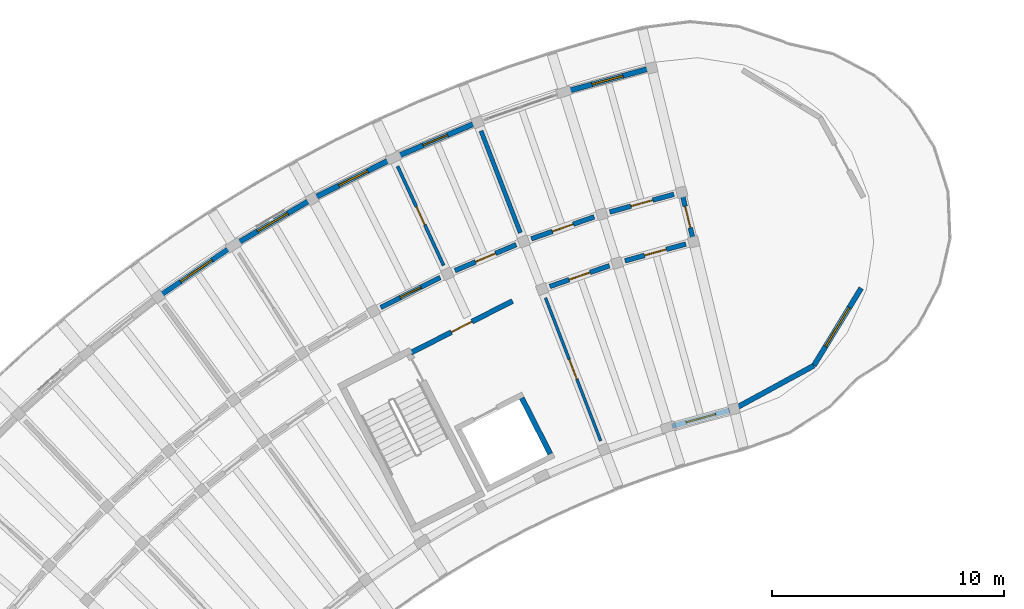
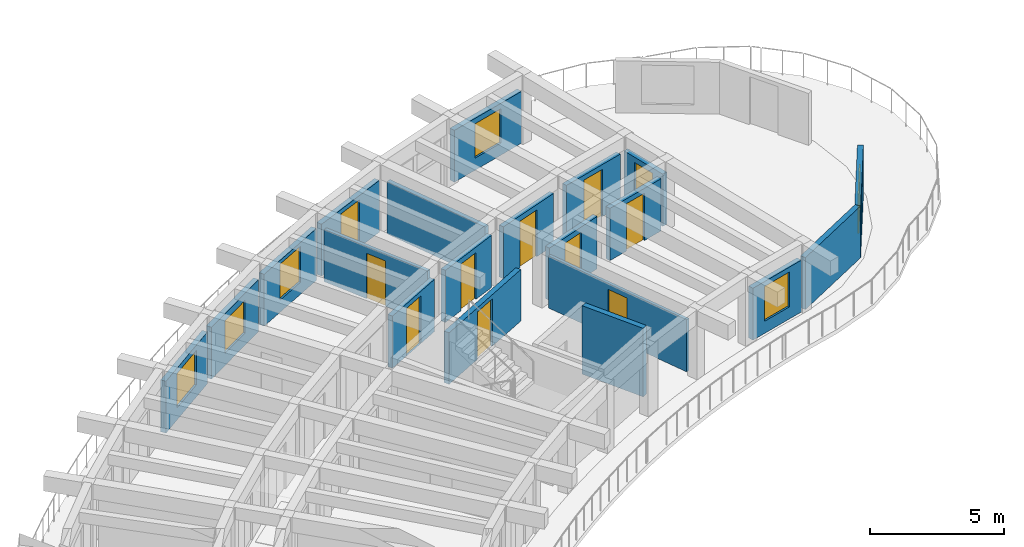
# One storey, part 21 of 36: 20 walls, 11 doors, 6 windows, 17 openings.
"""IFC4 building model written with IfcOpenShell, lengths in metres."""

import ifcopenshell
import ifcopenshell.guid

model = None  # the IFC model being written
_history = None  # IfcOwnerHistory: only IFC2X3 demands one
_inside = {}  # id of a spatial element -> (the spatial element, [elements in it])
_under = {}  # id of a project, library or spatial element -> (it, [spatial elements below it])
_declared = {}  # id of a project -> (the project, [libraries it declares])
_typed = {}  # id of a type object -> (the type object, [elements of that type])
_made_of = {}  # id of a material, layer set ... -> (it, [elements and type objects made of it])


def new_model(schema):
    """Start an empty IFC model of exactly this schema.

    Asked for "IFC4X3", IfcOpenShell would pick the latest addendum, in which some entities
    have other attributes; the version numbers below select the first issue.
    IFC2X3 requires an IfcOwnerHistory on every rooted entity: one is made here for all.
    """
    global model, _history
    if schema == "IFC4X3":
        model = ifcopenshell.file(schema_version=(4, 3, 0, 0))
    else:
        model = ifcopenshell.file(schema=schema)
    _inside.clear()
    _under.clear()
    _declared.clear()
    _typed.clear()
    _made_of.clear()
    _history = None
    if model.schema == "IFC2X3":
        org = make("IfcOrganization", Name="unknown")
        user = make(
            "IfcPersonAndOrganization",
            ThePerson=make("IfcPerson", FamilyName="unknown"),
            TheOrganization=org,
        )
        app = make(
            "IfcApplication",
            ApplicationDeveloper=org,
            Version="unknown",
            ApplicationFullName="unknown",
            ApplicationIdentifier="unknown",
        )
        _history = make(
            "IfcOwnerHistory",
            OwningUser=user,
            OwningApplication=app,
            ChangeAction="ADDED",
            CreationDate=0,
        )
    return model


def make(cls, **values):
    """One entity of the class cls with the attributes given. An attribute that is None is left unset."""
    return model.create_entity(
        cls, **{name: value for name, value in values.items() if value is not None}
    )


def rooted(cls, **values):
    """An entity with a GlobalId (a new one), such as an element, a storey or a relation."""
    return make(cls, GlobalId=ifcopenshell.guid.new(), OwnerHistory=_history, **values)


def si_unit(unit_type, name, prefix=None):
    """IfcSIUnit, for example si_unit("LENGTHUNIT", "METRE", prefix="MILLI")."""
    return make("IfcSIUnit", UnitType=unit_type, Prefix=prefix, Name=name)


def assignment(units):
    """IfcUnitAssignment: the units of a project."""
    return None if units is None else make("IfcUnitAssignment", Units=units)


def point(xyz):
    """IfcCartesianPoint."""
    return None if xyz is None else make("IfcCartesianPoint", Coordinates=xyz)


def direction(xyz):
    """IfcDirection."""
    return None if xyz is None else make("IfcDirection", DirectionRatios=xyz)


def frame(location, z_axis=None, x_axis=None):
    """IfcAxis2Placement3D, a coordinate frame: its origin and axes. An axis left out is left unset."""
    return make(
        "IfcAxis2Placement3D",
        Location=point(location),
        Axis=direction(z_axis),
        RefDirection=direction(x_axis),
    )


def frame_2d(location, x_axis=None):
    """IfcAxis2Placement2D, a coordinate frame in the plane: its origin and x axis."""
    return make(
        "IfcAxis2Placement2D", Location=point(location), RefDirection=direction(x_axis)
    )


def origin():
    """The frame at (0, 0, 0) with its axes left unset."""
    return frame((0.0, 0.0, 0.0))


def place(relative_to, where):
    """IfcLocalPlacement: puts the frame where relative to a parent placement (None: the world)."""
    return make(
        "IfcLocalPlacement", PlacementRelTo=relative_to, RelativePlacement=where
    )


def context(
    kind, dimensions, precision=None, world=None, true_north=None, identifier=None
):
    """IfcGeometricRepresentationContext, for example the 3D "Model" context."""
    return make(
        "IfcGeometricRepresentationContext",
        ContextIdentifier=identifier,
        ContextType=kind,
        CoordinateSpaceDimension=dimensions,
        Precision=precision,
        WorldCoordinateSystem=world,
        TrueNorth=true_north,
    )


def subcontext(parent, identifier, kind, view, scale=None):
    """IfcGeometricRepresentationSubContext, for example "Body" below "Model"."""
    return make(
        "IfcGeometricRepresentationSubContext",
        ContextIdentifier=identifier,
        ContextType=kind,
        ParentContext=parent,
        TargetScale=scale,
        TargetView=view,
    )


def project(units=None, contexts=None):
    """IfcProject with its units and contexts."""
    return rooted(
        "IfcProject",
        Name="project",
        RepresentationContexts=contexts,
        UnitsInContext=assignment(units),
    )


def spatial(cls, under=None, at=None, **own):
    """A site, building, storey or space (cls), placed at a placement, below another one or the project."""
    s = rooted(cls, ObjectPlacement=at, **own)
    if under is not None:
        _under.setdefault(under.id(), (under, []))[1].append(s)
    return s


def profile(cls, at=None, kind="AREA", **sizes):
    """A parametric profile (cls). Its sizes go by their IFC names, for example OverallWidth=200.0."""
    return make(cls, ProfileType=kind, Position=at, **sizes)


def rectangle(**sizes):
    """IfcRectangleProfileDef."""
    return profile("IfcRectangleProfileDef", **sizes)


def extrude(swept, where, along, depth):
    """IfcExtrudedAreaSolid: the profile swept, set in the frame where, extruded along a direction by depth."""
    return make(
        "IfcExtrudedAreaSolid",
        SweptArea=swept,
        Position=where,
        ExtrudedDirection=direction(along),
        Depth=depth,
    )


def shape(context_of_items, identifier, shape_type, items):
    """IfcShapeRepresentation: the items that make up one representation, for example the "Body"."""
    return make(
        "IfcShapeRepresentation",
        ContextOfItems=context_of_items,
        RepresentationIdentifier=identifier,
        RepresentationType=shape_type,
        Items=items,
    )


def material(Name=None, Category=None):
    """IfcMaterial."""
    return make("IfcMaterial", Name=Name, Category=Category)


def layer(
    of_material, thickness, ventilated=None, Name=None, Category=None, Priority=None
):
    """IfcMaterialLayer: one layer of a wall or slab, of a material (None: an air gap)."""
    return make(
        "IfcMaterialLayer",
        Material=of_material,
        LayerThickness=thickness,
        IsVentilated=ventilated,
        Name=Name,
        Category=Category,
        Priority=Priority,
    )


def layer_set(layers, Name=None):
    """IfcMaterialLayerSet."""
    return make("IfcMaterialLayerSet", MaterialLayers=layers, LayerSetName=Name)


def made_of(thing, what):
    """Note that an element or type object is made of a material, layer set ...; save() writes the relation."""
    if what is not None:
        _made_of.setdefault(what.id(), (what, []))[1].append(thing)
    return thing


def type_object(cls, material=None, **own):
    """A type object (cls), such as IfcWallType, which elements share."""
    return made_of(rooted(cls, **own), material)


def element(
    cls,
    number,
    at=None,
    inside=None,
    cuts=None,
    type_object=None,
    material=None,
    context=None,
    identifier="Body",
    shape_type=None,
    held_by="IfcProductDefinitionShape",
    body=None,
    shapes=None,
    **own,
):
    """One element of the class cls, such as IfcWall. Its Tag is "e" and its number.

    at: its placement. inside: the storey or other place that contains it. cuts: it is an
    opening in that element (IfcRelVoidsElement). A single representation is given by context,
    identifier, shape_type and body (its items); several are given by shapes. held_by: the class
    of the entity that holds the representations. save() writes the other relations.
    """
    e = rooted(cls, Tag="e%d" % number, ObjectPlacement=at, **own)
    if body is not None:
        shapes = [shape(context, identifier, shape_type, body)]
    if shapes is not None:
        e.Representation = make(held_by, Representations=shapes)
    if inside is not None:
        _inside.setdefault(inside.id(), (inside, []))[1].append(e)
    if cuts is not None:
        rooted(
            "IfcRelVoidsElement", RelatingBuildingElement=cuts, RelatedOpeningElement=e
        )
    if type_object is not None:
        _typed.setdefault(type_object.id(), (type_object, []))[1].append(e)
    return made_of(e, material)


def fill(opening, filler):
    """IfcRelFillsElement: the door or window that sits in an opening."""
    return rooted(
        "IfcRelFillsElement",
        RelatingOpeningElement=opening,
        RelatedBuildingElement=filler,
    )


def aggregate(whole, parts):
    """IfcRelAggregates: a whole, such as a stair, and the parts it consists of."""
    return rooted("IfcRelAggregates", RelatingObject=whole, RelatedObjects=parts)


def save(model, path):
    """Write the relations noted so far, then the file.

    IfcRelAggregates (storeys below a building ...), IfcRelContainedInSpatialStructure (elements
    in a storey), IfcRelDefinesByType, IfcRelAssociatesMaterial and IfcRelDeclares: one each for
    every whole, place, type object, material and project.
    """
    for whole, parts in _under.values():
        aggregate(whole, parts)
    for where, things in _inside.values():
        rooted(
            "IfcRelContainedInSpatialStructure",
            RelatedElements=things,
            RelatingStructure=where,
        )
    for kind, things in _typed.values():
        rooted("IfcRelDefinesByType", RelatedObjects=things, RelatingType=kind)
    for what, things in _made_of.values():
        rooted("IfcRelAssociatesMaterial", RelatedObjects=things, RelatingMaterial=what)
    for by, libraries in _declared.values():
        rooted("IfcRelDeclares", RelatingContext=by, RelatedDefinitions=libraries)
    model.write(path)


model = new_model("IFC4")

# Units and contexts
model_context = context("Model", 3, precision=1e-05, world=origin(), true_north=direction((0.0, 1.0)))
body_context = subcontext(model_context, "Body", "Model", "MODEL_VIEW")
ifc_project = project(units=[si_unit("LENGTHUNIT", "METRE"), si_unit("AREAUNIT", "SQUARE_METRE"), si_unit("VOLUMEUNIT", "CUBIC_METRE"), si_unit("PLANEANGLEUNIT", "RADIAN"), si_unit("MASSUNIT", "GRAM", prefix="KILO")], contexts=[model_context])

# Site, building, storey
site_placement = place(None, origin())
site = spatial("IfcSite", under=ifc_project, at=site_placement, CompositionType="ELEMENT")
building_placement = place(site_placement, origin())
building = spatial("IfcBuilding", under=site, at=building_placement, Name="Tanwirah Colonnade Gardens", CompositionType="ELEMENT")
storey_placement = place(building_placement, frame((0.0, 0.0, 39.080078125)))
storey = spatial("IfcBuildingStorey", under=building, at=storey_placement, Name="L11", CompositionType="ELEMENT", Elevation=39.080078125)

# Wall, opening, window
ifc_material_1 = material(Name="Limestone architectural precast concrete C40/50", Category="masonry")
ifc_layer_1 = layer(ifc_material_1, 0.22509765625)
ifc_layer_set_1 = layer_set([ifc_layer_1], Name="Limestone architectural precast concrete C40/50")
wall_type_1 = type_object("IfcWallType", Name="EW-PC225", PredefinedType="SOLIDWALL", material=ifc_layer_set_1)
wall_1_placement = place(storey_placement, frame((50.854248046875, 118.039306640625, 0.0), z_axis=(0.0, 0.0, 1.0), x_axis=(-0.963879958287, -0.266337053398, 0.0)))
wall_1 = element("IfcWall", 1, at=wall_1_placement, inside=storey, type_object=wall_type_1, Name="Block A L11 OUT Precast Facade Wall 2", PredefinedType="SOLIDWALL", context=body_context, shape_type="SweptSolid", body=[
    extrude(rectangle(XDim=3.56591796875, YDim=0.22509765625, at=frame_2d((1.782958984375, 0.0))), origin(), (0.0, 0.0, 1.0), 2.35498046875),
])
opening_1_placement = place(wall_1_placement, frame((1.093017578125, 0.0, 0.550048828125)))
opening_1 = element("IfcOpeningElement", 2, at=opening_1_placement, cuts=wall_1, Name="Opening WIN-T18", PredefinedType="OPENING", context=body_context, shape_type="SweptSolid", body=[
    extrude(rectangle(XDim=1.3798828125, YDim=1.56005859375, at=frame_2d((0.68994140625, 0.780029296875))), frame((0.0, 0.12255859375, 0.0), z_axis=(0.0, -1.0, 0.0), x_axis=(1.0, 0.0, 0.0)), (0.0, 0.0, 1.0), 0.2451171875),
])
ifc_material_2 = material(Name="Thermally broken bronze aluminium and solar low-E double glazing", Category="aluminium")
window_type_1 = type_object("IfcWindowType", Name="WIN-T18", PartitioningType="DOUBLE_PANEL_VERTICAL", PredefinedType="WINDOW", material=ifc_material_2)
window_1_placement = place(opening_1_placement, origin())
window_1 = element("IfcWindow", 3, at=window_1_placement, inside=storey, type_object=window_type_1, Name="Facade window A-L11-OUT-02", OverallHeight=1.56005859375, OverallWidth=1.3798828125, PartitioningType="SINGLE_PANEL", PredefinedType="WINDOW", context=body_context, shape_type="SweptSolid", body=[
    extrude(rectangle(XDim=1.3798828125, YDim=1.56005859375, at=frame_2d((0.68994140625, 0.780029296875))), frame((0.0, 0.030029296875, 0.0), z_axis=(0.0, -1.0, 0.0), x_axis=(1.0, 0.0, 0.0)), (0.0, 0.0, 1.0), 0.06005859375),
])
fill(opening_1, window_1)

wall_2_placement = place(storey_placement, frame((54.3935546875, 103.35986328125, 0.0), z_axis=(0.0, 0.0, 1.0), x_axis=(-0.963881704158, -0.266330734968, 0.0)))
wall_2 = element("IfcWall", 4, at=wall_2_placement, inside=storey, type_object=wall_type_1, Name="Block A L11 IN Precast Facade Wall 2", PredefinedType="SOLIDWALL", context=body_context, shape_type="SweptSolid", body=[
    extrude(rectangle(XDim=2.5703125, YDim=0.22509765625, at=frame_2d((1.28515625, 0.0))), origin(), (0.0, 0.0, 1.0), 2.35498046875),
])
opening_2_placement = place(wall_2_placement, frame((0.625, 0.0, 0.550048828125)))
opening_2 = element("IfcOpeningElement", 5, at=opening_2_placement, cuts=wall_2, Name="Opening WIN-U05", PredefinedType="OPENING", context=body_context, shape_type="SweptSolid", body=[
    extrude(rectangle(XDim=1.320068359375, YDim=1.5849609375, at=frame_2d((0.66015625, 0.79248046875))), frame((0.0, 0.12255859375, 0.0), z_axis=(0.0, -1.0, 0.0), x_axis=(1.0, 0.0, 0.0)), (0.0, 0.0, 1.0), 0.2451171875),
])
window_type_2 = type_object("IfcWindowType", Name="WIN-U05", PartitioningType="DOUBLE_PANEL_VERTICAL", PredefinedType="WINDOW", material=ifc_material_2)
window_2_placement = place(opening_2_placement, origin())
window_2 = element("IfcWindow", 6, at=window_2_placement, inside=storey, type_object=window_type_2, Name="Facade window A-L11-IN-02", OverallHeight=1.5849609375, OverallWidth=1.320068359375, PartitioningType="SINGLE_PANEL", PredefinedType="WINDOW", context=body_context, shape_type="SweptSolid", body=[
    extrude(rectangle(XDim=1.320068359375, YDim=1.5849609375, at=frame_2d((0.66015625, 0.79248046875))), frame((0.0, 0.030029296875, 0.0), z_axis=(0.0, -1.0, 0.0), x_axis=(1.0, 0.0, 0.0)), (0.0, 0.0, 1.0), 0.06005859375),
])
fill(opening_2, window_2)

# Wall, opening, door
wall_3_placement = place(storey_placement, frame((43.371826171875, 115.677001953125, 0.0), z_axis=(0.0, 0.0, 1.0), x_axis=(-0.920495973723, -0.390752047161, 0.0)))
wall_3 = element("IfcWall", 7, at=wall_3_placement, inside=storey, type_object=wall_type_1, Name="Block A L11 OUT Precast Facade Wall 4", PredefinedType="SOLIDWALL", context=body_context, shape_type="SweptSolid", body=[
    extrude(rectangle(XDim=3.565673828125, YDim=0.22509765625, at=frame_2d((1.78271484375, 0.0))), origin(), (0.0, 0.0, 1.0), 2.35498046875),
])
opening_3_placement = place(wall_3_placement, frame((1.212890625, 0.0, 0.0)))
opening_3 = element("IfcOpeningElement", 8, at=opening_3_placement, cuts=wall_3, Name="Opening L11-ED052", PredefinedType="OPENING", context=body_context, shape_type="SweptSolid", body=[
    extrude(rectangle(XDim=1.139892578125, YDim=2.159912109375, at=frame_2d((0.56982421875, 1.080078125))), frame((0.0, 0.12255859375, 0.0), z_axis=(0.0, -1.0, 0.0), x_axis=(1.0, 0.0, 0.0)), (0.0, 0.0, 1.0), 0.2451171875),
])
ifc_material_3 = material(Name="Bronze aluminium glazed balcony door", Category="aluminium")
door_type_1 = type_object("IfcDoorType", Name="ED-BAL114", OperationType="NOTDEFINED", PredefinedType="DOOR", material=ifc_material_3)
door_1_placement = place(opening_3_placement, origin())
door_1 = element("IfcDoor", 9, at=door_1_placement, inside=storey, type_object=door_type_1, Name="Balcony glazed door L11-ED052", OperationType="SINGLE_SWING_RIGHT", OverallHeight=2.159912109375, OverallWidth=1.139892578125, PredefinedType="DOOR", context=body_context, shape_type="SweptSolid", body=[
    extrude(rectangle(XDim=1.139892578125, YDim=2.159912109375, at=frame_2d((0.56982421875, 1.080078125))), frame((0.0, 0.02490234375, 0.0), z_axis=(0.0, -1.0, 0.0), x_axis=(1.0, 0.0, 0.0)), (0.0, 0.0, 1.0), 0.050048828125),
])
fill(opening_3, door_1)

# Wall, opening, window
wall_4_placement = place(storey_placement, frame((39.79052734375, 114.14501953125, 0.0), z_axis=(0.0, 0.0, 1.0), x_axis=(-0.892764108044, -0.450524413753, 0.0)))
wall_4 = element("IfcWall", 10, at=wall_4_placement, inside=storey, type_object=wall_type_1, Name="Block A L11 OUT Precast Facade Wall 5", PredefinedType="SOLIDWALL", context=body_context, shape_type="SweptSolid", body=[
    extrude(rectangle(XDim=3.565673828125, YDim=0.22509765625, at=frame_2d((1.78271484375, 0.0))), origin(), (0.0, 0.0, 1.0), 2.35498046875),
])
opening_4_placement = place(wall_4_placement, frame((1.082763671875, 0.0, 0.550048828125)))
opening_4 = element("IfcOpeningElement", 11, at=opening_4_placement, cuts=wall_4, Name="Opening WIN-U07", PredefinedType="OPENING", context=body_context, shape_type="SweptSolid", body=[
    extrude(rectangle(XDim=1.39990234375, YDim=1.635009765625, at=frame_2d((0.699951171875, 0.8173828125))), frame((0.0, 0.12255859375, 0.0), z_axis=(0.0, -1.0, 0.0), x_axis=(1.0, 0.0, 0.0)), (0.0, 0.0, 1.0), 0.2451171875),
])
window_type_3 = type_object("IfcWindowType", Name="WIN-U07", PartitioningType="DOUBLE_PANEL_VERTICAL", PredefinedType="WINDOW", material=ifc_material_2)
window_3_placement = place(opening_4_placement, origin())
window_3 = element("IfcWindow", 12, at=window_3_placement, inside=storey, type_object=window_type_3, Name="Facade window A-L11-OUT-05", OverallHeight=1.635009765625, OverallWidth=1.39990234375, PartitioningType="SINGLE_PANEL", PredefinedType="WINDOW", context=body_context, shape_type="SweptSolid", body=[
    extrude(rectangle(XDim=1.39990234375, YDim=1.635009765625, at=frame_2d((0.699951171875, 0.8173828125))), frame((0.0, 0.030029296875, 0.0), z_axis=(0.0, -1.0, 0.0), x_axis=(1.0, 0.0, 0.0)), (0.0, 0.0, 1.0), 0.06005859375),
])
fill(opening_4, window_3)

wall_5_placement = place(storey_placement, frame((36.26513671875, 112.3515625, 0.0), z_axis=(0.0, 0.0, 1.0), x_axis=(-0.861132283606, -0.508380949811, 0.0)))
wall_5 = element("IfcWall", 13, at=wall_5_placement, inside=storey, type_object=wall_type_1, Name="Block A L11 OUT Precast Facade Wall 6", PredefinedType="SOLIDWALL", context=body_context, shape_type="SweptSolid", body=[
    extrude(rectangle(XDim=3.565673828125, YDim=0.22509765625, at=frame_2d((1.78271484375, 0.0))), origin(), (0.0, 0.0, 1.0), 2.35498046875),
])
opening_5_placement = place(wall_5_placement, frame((1.022705078125, 0.0, 0.550048828125)))
opening_5 = element("IfcOpeningElement", 14, at=opening_5_placement, cuts=wall_5, Name="Opening WIN-U10", PredefinedType="OPENING", context=body_context, shape_type="SweptSolid", body=[
    extrude(rectangle(XDim=1.52001953125, YDim=1.485107421875, at=frame_2d((0.760009765625, 0.74267578125))), frame((0.0, 0.12255859375, 0.0), z_axis=(0.0, -1.0, 0.0), x_axis=(1.0, 0.0, 0.0)), (0.0, 0.0, 1.0), 0.2451171875),
])
window_type_4 = type_object("IfcWindowType", Name="WIN-U10", PartitioningType="DOUBLE_PANEL_VERTICAL", PredefinedType="WINDOW", material=ifc_material_2)
window_4_placement = place(opening_5_placement, origin())
window_4 = element("IfcWindow", 15, at=window_4_placement, inside=storey, type_object=window_type_4, Name="Facade window A-L11-OUT-06", OverallHeight=1.485107421875, OverallWidth=1.52001953125, PartitioningType="SINGLE_PANEL", PredefinedType="WINDOW", context=body_context, shape_type="SweptSolid", body=[
    extrude(rectangle(XDim=1.52001953125, YDim=1.485107421875, at=frame_2d((0.760009765625, 0.74267578125))), frame((0.0, 0.030029296875, 0.0), z_axis=(0.0, -1.0, 0.0), x_axis=(1.0, 0.0, 0.0)), (0.0, 0.0, 1.0), 0.06005859375),
])
fill(opening_5, window_4)

wall_6_placement = place(storey_placement, frame((32.916259765625, 110.36181640625, 0.0), z_axis=(0.0, 0.0, 1.0), x_axis=(-0.825772203118, -0.564003784169, 0.0)))
wall_6 = element("IfcWall", 16, at=wall_6_placement, inside=storey, type_object=wall_type_1, Name="Block A L11 OUT Precast Facade Wall 7", PredefinedType="SOLIDWALL", context=body_context, shape_type="SweptSolid", body=[
    extrude(rectangle(XDim=3.565673828125, YDim=0.22509765625, at=frame_2d((1.78271484375, 0.0))), origin(), (0.0, 0.0, 1.0), 2.35498046875),
])
opening_6_placement = place(wall_6_placement, frame((0.962890625, 0.0, 0.550048828125)))
opening_6 = element("IfcOpeningElement", 17, at=opening_6_placement, cuts=wall_6, Name="Opening WIN-U13", PredefinedType="OPENING", context=body_context, shape_type="SweptSolid", body=[
    extrude(rectangle(XDim=1.639892578125, YDim=1.56005859375, at=frame_2d((0.81982421875, 0.780029296875))), frame((0.0, 0.12255859375, 0.0), z_axis=(0.0, -1.0, 0.0), x_axis=(1.0, 0.0, 0.0)), (0.0, 0.0, 1.0), 0.2451171875),
])
window_type_5 = type_object("IfcWindowType", Name="WIN-U13", PartitioningType="DOUBLE_PANEL_VERTICAL", PredefinedType="WINDOW", material=ifc_material_2)
window_5_placement = place(opening_6_placement, origin())
window_5 = element("IfcWindow", 18, at=window_5_placement, inside=storey, type_object=window_type_5, Name="Facade window A-L11-OUT-07", OverallHeight=1.56005859375, OverallWidth=1.639892578125, PartitioningType="SINGLE_PANEL", PredefinedType="WINDOW", context=body_context, shape_type="SweptSolid", body=[
    extrude(rectangle(XDim=1.639892578125, YDim=1.56005859375, at=frame_2d((0.81982421875, 0.780029296875))), frame((0.0, 0.030029296875, 0.0), z_axis=(0.0, -1.0, 0.0), x_axis=(1.0, 0.0, 0.0)), (0.0, 0.0, 1.0), 0.06005859375),
])
fill(opening_6, window_5)

wall_7_placement = place(storey_placement, frame((60.052978515625, 108.6142578125, 0.0), z_axis=(0.0, 0.0, 1.0), x_axis=(-0.521652131435, -0.85315828178, 0.0)))
wall_7 = element("IfcWall", 19, at=wall_7_placement, inside=storey, type_object=wall_type_1, Name="Block A L11 START Rounded End Wall 4", PredefinedType="SOLIDWALL", context=body_context, shape_type="SweptSolid", body=[
    extrude(rectangle(XDim=3.908447265625, YDim=0.22509765625, at=frame_2d((1.9541015625, 0.0))), origin(), (0.0, 0.0, 1.0), 2.35498046875),
])
opening_7_placement = place(wall_7_placement, frame((0.97900390625, 0.0, 0.39990234375)))
opening_7 = element("IfcOpeningElement", 20, at=opening_7_placement, cuts=wall_7, Name="Opening WIN-END2", PredefinedType="OPENING", context=body_context, shape_type="SweptSolid", body=[
    extrude(rectangle(XDim=1.949951171875, YDim=1.780029296875, at=frame_2d((0.97509765625, 0.89013671875))), frame((0.0, 0.12255859375, 0.0), z_axis=(0.0, -1.0, 0.0), x_axis=(1.0, 0.0, 0.0)), (0.0, 0.0, 1.0), 0.2451171875),
])
window_type_6 = type_object("IfcWindowType", Name="WIN-END2", PartitioningType="TRIPLE_PANEL_VERTICAL", PredefinedType="WINDOW", material=ifc_material_2)
window_6_placement = place(opening_7_placement, origin())
window_6 = element("IfcWindow", 21, at=window_6_placement, inside=storey, type_object=window_type_6, Name="Rounded corner window A-L11-START-4", OverallHeight=1.780029296875, OverallWidth=1.949951171875, PartitioningType="SINGLE_PANEL", PredefinedType="WINDOW", context=body_context, shape_type="SweptSolid", body=[
    extrude(rectangle(XDim=1.949951171875, YDim=1.780029296875, at=frame_2d((0.97509765625, 0.89013671875))), frame((0.0, 0.030029296875, 0.0), z_axis=(0.0, -1.0, 0.0), x_axis=(1.0, 0.0, 0.0)), (0.0, 0.0, 1.0), 0.06005859375),
])
fill(opening_7, window_6)

# Wall
wall_8_placement = place(storey_placement, frame((58.01416015625, 105.27978515625, 0.0), z_axis=(0.0, 0.0, 1.0), x_axis=(-0.87837025386, -0.477980854359, 0.0)))
element("IfcWall", 22, at=wall_8_placement, inside=storey, type_object=wall_type_1, Name="Block A L11 START Rounded End Wall 5", PredefinedType="SOLIDWALL", context=body_context, shape_type="SweptSolid", body=[
    extrude(rectangle(XDim=3.907958984375, YDim=0.22509765625, at=frame_2d((1.9541015625, 0.0))), origin(), (0.0, 0.0, 1.0), 2.35498046875),
])

# Wall, opening, door
ifc_material_4 = material(Name="Precast concrete C40/50", Category="concrete")
ifc_layer_2 = layer(ifc_material_4, 0.205078125)
ifc_layer_set_2 = layer_set([ifc_layer_2], Name="Precast concrete C40/50")
wall_type_2 = type_object("IfcWallType", Name="IW-CORR205", PredefinedType="PARTITIONING", material=ifc_layer_set_2)
wall_9_placement = place(storey_placement, frame((51.993896484375, 112.651123046875, 0.0), z_axis=(0.0, 0.0, 1.0), x_axis=(-0.963890789093, -0.266297853356, 0.0)))
wall_9 = element("IfcWall", 23, at=wall_9_placement, inside=storey, type_object=wall_type_2, Name="Block A L11 OUT Corridor Wall 2", PredefinedType="PARTITIONING", context=body_context, shape_type="SweptSolid", body=[
    extrude(rectangle(XDim=2.863037109375, YDim=0.205078125, at=frame_2d((1.431640625, 0.0))), origin(), (0.0, 0.0, 1.0), 2.369873046875),
])
opening_8_placement = place(wall_9_placement, frame((0.946533203125, 0.0, 0.0)))
opening_8 = element("IfcOpeningElement", 24, at=opening_8_placement, cuts=wall_9, Name="Opening L11-AD675", PredefinedType="OPENING", context=body_context, shape_type="SweptSolid", body=[
    extrude(rectangle(XDim=0.969970703125, YDim=2.14990234375, at=frame_2d((0.48486328125, 1.074951171875))), frame((0.0, 0.112548828125, 0.0), z_axis=(0.0, -1.0, 0.0), x_axis=(1.0, 0.0, 0.0)), (0.0, 0.0, 1.0), 0.22509765625),
])
ifc_material_5 = material(Name="Solid oak fire-resisting apartment entrance door")
door_type_2 = type_object("IfcDoorType", Name="ID-FLT097", OperationType="NOTDEFINED", PredefinedType="DOOR", material=ifc_material_5)
door_2_placement = place(opening_8_placement, origin())
door_2 = element("IfcDoor", 25, at=door_2_placement, inside=storey, type_object=door_type_2, Name="Apartment corridor door L11-AD675", OperationType="SINGLE_SWING_RIGHT", OverallHeight=2.14990234375, OverallWidth=0.969970703125, PredefinedType="DOOR", context=body_context, shape_type="SweptSolid", body=[
    extrude(rectangle(XDim=0.969970703125, YDim=2.14990234375, at=frame_2d((0.48486328125, 1.074951171875))), frame((0.0, 0.02490234375, 0.0), z_axis=(0.0, -1.0, 0.0), x_axis=(1.0, 0.0, 0.0)), (0.0, 0.0, 1.0), 0.050048828125),
])
fill(opening_8, door_2)

wall_10_placement = place(storey_placement, frame((52.509521484375, 110.512451171875, 0.0), z_axis=(0.0, 0.0, 1.0), x_axis=(-0.96388375821, -0.266323301006, 0.0)))
wall_10 = element("IfcWall", 26, at=wall_10_placement, inside=storey, type_object=wall_type_2, Name="Block A L11 IN Corridor Wall 2", PredefinedType="PARTITIONING", context=body_context, shape_type="SweptSolid", body=[
    extrude(rectangle(XDim=2.718017578125, YDim=0.205078125, at=frame_2d((1.35888671875, 0.0))), origin(), (0.0, 0.0, 1.0), 2.369873046875),
])
opening_9_placement = place(wall_10_placement, frame((0.8740234375, 0.0, 0.0)))
opening_9 = element("IfcOpeningElement", 27, at=opening_9_placement, cuts=wall_10, Name="Opening L11-AD676", PredefinedType="OPENING", context=body_context, shape_type="SweptSolid", body=[
    extrude(rectangle(XDim=0.969970703125, YDim=2.14990234375, at=frame_2d((0.48486328125, 1.074951171875))), frame((0.0, 0.112548828125, 0.0), z_axis=(0.0, -1.0, 0.0), x_axis=(1.0, 0.0, 0.0)), (0.0, 0.0, 1.0), 0.22509765625),
])
door_3_placement = place(opening_9_placement, origin())
door_3 = element("IfcDoor", 28, at=door_3_placement, inside=storey, type_object=door_type_2, Name="Apartment corridor door L11-AD676", OperationType="SINGLE_SWING_LEFT", OverallHeight=2.14990234375, OverallWidth=0.969970703125, PredefinedType="DOOR", context=body_context, shape_type="SweptSolid", body=[
    extrude(rectangle(XDim=0.969970703125, YDim=2.14990234375, at=frame_2d((0.48486328125, 1.074951171875))), frame((0.0, 0.02490234375, 0.0), z_axis=(0.0, -1.0, 0.0), x_axis=(1.0, 0.0, 0.0)), (0.0, 0.0, 1.0), 0.050048828125),
])
fill(opening_9, door_3)

wall_11_placement = place(storey_placement, frame((48.56640625, 111.68017578125, 0.0), z_axis=(0.0, 0.0, 1.0), x_axis=(-0.944253820929, -0.329218349522, 0.0)))
wall_11 = element("IfcWall", 29, at=wall_11_placement, inside=storey, type_object=wall_type_2, Name="Block A L11 OUT Corridor Wall 3", PredefinedType="PARTITIONING", context=body_context, shape_type="SweptSolid", body=[
    extrude(rectangle(XDim=2.86328125, YDim=0.205078125, at=frame_2d((1.431640625, 0.0))), origin(), (0.0, 0.0, 1.0), 2.369873046875),
])
opening_10_placement = place(wall_11_placement, frame((0.95654296875, 0.0, 0.0)))
opening_10 = element("IfcOpeningElement", 30, at=opening_10_placement, cuts=wall_11, Name="Opening L11-AD677", PredefinedType="OPENING", context=body_context, shape_type="SweptSolid", body=[
    extrude(rectangle(XDim=0.949951171875, YDim=2.1298828125, at=frame_2d((0.47509765625, 1.06494140625))), frame((0.0, 0.112548828125, 0.0), z_axis=(0.0, -1.0, 0.0), x_axis=(1.0, 0.0, 0.0)), (0.0, 0.0, 1.0), 0.22509765625),
])
door_type_3 = type_object("IfcDoorType", Name="ID-FLT095", OperationType="NOTDEFINED", PredefinedType="DOOR", material=ifc_material_5)
door_4_placement = place(opening_10_placement, origin())
door_4 = element("IfcDoor", 31, at=door_4_placement, inside=storey, type_object=door_type_3, Name="Apartment corridor door L11-AD677", OperationType="SINGLE_SWING_LEFT", OverallHeight=2.1298828125, OverallWidth=0.949951171875, PredefinedType="DOOR", context=body_context, shape_type="SweptSolid", body=[
    extrude(rectangle(XDim=0.949951171875, YDim=2.1298828125, at=frame_2d((0.47509765625, 1.06494140625))), frame((0.0, 0.02490234375, 0.0), z_axis=(0.0, -1.0, 0.0), x_axis=(1.0, 0.0, 0.0)), (0.0, 0.0, 1.0), 0.050048828125),
])
fill(opening_10, door_4)

wall_12_placement = place(storey_placement, frame((49.221923828125, 109.580078125, 0.0), z_axis=(0.0, 0.0, 1.0), x_axis=(-0.944265123647, -0.329185929627, 0.0)))
wall_12 = element("IfcWall", 32, at=wall_12_placement, inside=storey, type_object=wall_type_2, Name="Block A L11 IN Corridor Wall 3", PredefinedType="PARTITIONING", context=body_context, shape_type="SweptSolid", body=[
    extrude(rectangle(XDim=2.71826171875, YDim=0.205078125, at=frame_2d((1.359130859375, 0.0))), origin(), (0.0, 0.0, 1.0), 2.369873046875),
])
opening_11_placement = place(wall_12_placement, frame((0.884033203125, 0.0, 0.0)))
opening_11 = element("IfcOpeningElement", 33, at=opening_11_placement, cuts=wall_12, Name="Opening L11-AD678", PredefinedType="OPENING", context=body_context, shape_type="SweptSolid", body=[
    extrude(rectangle(XDim=0.949951171875, YDim=2.1298828125, at=frame_2d((0.47509765625, 1.06494140625))), frame((0.0, 0.112548828125, 0.0), z_axis=(0.0, -1.0, 0.0), x_axis=(1.0, 0.0, 0.0)), (0.0, 0.0, 1.0), 0.22509765625),
])
door_5_placement = place(opening_11_placement, origin())
door_5 = element("IfcDoor", 34, at=door_5_placement, inside=storey, type_object=door_type_3, Name="Apartment corridor door L11-AD678", OperationType="SINGLE_SWING_RIGHT", OverallHeight=2.1298828125, OverallWidth=0.949951171875, PredefinedType="DOOR", context=body_context, shape_type="SweptSolid", body=[
    extrude(rectangle(XDim=0.949951171875, YDim=2.1298828125, at=frame_2d((0.47509765625, 1.06494140625))), frame((0.0, 0.02490234375, 0.0), z_axis=(0.0, -1.0, 0.0), x_axis=(1.0, 0.0, 0.0)), (0.0, 0.0, 1.0), 0.050048828125),
])
fill(opening_11, door_5)

wall_13_placement = place(storey_placement, frame((45.210205078125, 110.485595703125, 0.0), z_axis=(0.0, 0.0, 1.0), x_axis=(-0.920511160294, -0.390716270168, 0.0)))
wall_13 = element("IfcWall", 35, at=wall_13_placement, inside=storey, type_object=wall_type_2, Name="Block A L11 OUT Corridor Wall 4", PredefinedType="PARTITIONING", context=body_context, shape_type="SweptSolid", body=[
    extrude(rectangle(XDim=2.863037109375, YDim=0.205078125, at=frame_2d((1.431640625, 0.0))), origin(), (0.0, 0.0, 1.0), 2.369873046875),
])
opening_12_placement = place(wall_13_placement, frame((0.966552734375, 0.0, 0.0)))
opening_12 = element("IfcOpeningElement", 36, at=opening_12_placement, cuts=wall_13, Name="Opening L11-AD680", PredefinedType="OPENING", context=body_context, shape_type="SweptSolid", body=[
    extrude(rectangle(XDim=0.929931640625, YDim=2.1201171875, at=frame_2d((0.46484375, 1.06005859375))), frame((0.0, 0.112548828125, 0.0), z_axis=(0.0, -1.0, 0.0), x_axis=(1.0, 0.0, 0.0)), (0.0, 0.0, 1.0), 0.22509765625),
])
door_type_4 = type_object("IfcDoorType", Name="ID-FLT093", OperationType="NOTDEFINED", PredefinedType="DOOR", material=ifc_material_5)
door_6_placement = place(opening_12_placement, origin())
door_6 = element("IfcDoor", 37, at=door_6_placement, inside=storey, type_object=door_type_4, Name="Apartment corridor door L11-AD680", OperationType="SINGLE_SWING_RIGHT", OverallHeight=2.1201171875, OverallWidth=0.929931640625, PredefinedType="DOOR", context=body_context, shape_type="SweptSolid", body=[
    extrude(rectangle(XDim=0.929931640625, YDim=2.1201171875, at=frame_2d((0.46484375, 1.06005859375))), frame((0.0, 0.02490234375, 0.0), z_axis=(0.0, -1.0, 0.0), x_axis=(1.0, 0.0, 0.0)), (0.0, 0.0, 1.0), 0.050048828125),
])
fill(opening_12, door_6)

wall_14_placement = place(storey_placement, frame((41.93994140625, 109.072509765625, 0.0), z_axis=(0.0, 0.0, 1.0), x_axis=(-0.89273239336, -0.450587254419, 0.0)))
wall_14 = element("IfcWall", 38, at=wall_14_placement, inside=storey, type_object=wall_type_2, Name="Block A L11 OUT Corridor Wall 5", PredefinedType="PARTITIONING", context=body_context, shape_type="SweptSolid", body=[
    extrude(rectangle(XDim=2.863037109375, YDim=0.205078125, at=frame_2d((1.431640625, 0.0))), origin(), (0.0, 0.0, 1.0), 2.369873046875),
])
opening_13_placement = place(wall_14_placement, frame((0.9365234375, 0.0, 0.0)))
opening_13 = element("IfcOpeningElement", 39, at=opening_13_placement, cuts=wall_14, Name="Opening L11-AD682", PredefinedType="OPENING", context=body_context, shape_type="SweptSolid", body=[
    extrude(rectangle(XDim=0.989990234375, YDim=2.159912109375, at=frame_2d((0.4951171875, 1.080078125))), frame((0.0, 0.112548828125, 0.0), z_axis=(0.0, -1.0, 0.0), x_axis=(1.0, 0.0, 0.0)), (0.0, 0.0, 1.0), 0.22509765625),
])
door_type_5 = type_object("IfcDoorType", Name="ID-FLT099", OperationType="NOTDEFINED", PredefinedType="DOOR", material=ifc_material_5)
door_7_placement = place(opening_13_placement, origin())
door_7 = element("IfcDoor", 40, at=door_7_placement, inside=storey, type_object=door_type_5, Name="Apartment corridor door L11-AD682", OperationType="SINGLE_SWING_LEFT", OverallHeight=2.159912109375, OverallWidth=0.989990234375, PredefinedType="DOOR", context=body_context, shape_type="SweptSolid", body=[
    extrude(rectangle(XDim=0.989990234375, YDim=2.159912109375, at=frame_2d((0.4951171875, 1.080078125))), frame((0.0, 0.02490234375, 0.0), z_axis=(0.0, -1.0, 0.0), x_axis=(1.0, 0.0, 0.0)), (0.0, 0.0, 1.0), 0.050048828125),
])
fill(opening_13, door_7)

wall_15_placement = place(storey_placement, frame((52.835205078125, 110.654296875, 0.0), z_axis=(0.0, 0.0, 1.0), x_axis=(-0.23437535251, 0.972146179407, 0.0)))
wall_15 = element("IfcWall", 41, at=wall_15_placement, inside=storey, type_object=wall_type_2, Name="Block A L11 CS Corner Suite Corridor Wall", PredefinedType="PARTITIONING", context=body_context, shape_type="SweptSolid", body=[
    extrude(rectangle(XDim=2.10009765625, YDim=0.205078125, at=frame_2d((1.050048828125, 0.0))), origin(), (0.0, 0.0, 1.0), 2.369873046875),
])
opening_14_placement = place(wall_15_placement, frame((0.570068359375, 0.0, 0.0)))
opening_14 = element("IfcOpeningElement", 42, at=opening_14_placement, cuts=wall_15, Name="Opening L11-CD704", PredefinedType="OPENING", context=body_context, shape_type="SweptSolid", body=[
    extrude(rectangle(XDim=0.949951171875, YDim=2.1298828125, at=frame_2d((0.47509765625, 1.06494140625))), frame((0.0, 0.112548828125, 0.0), z_axis=(0.0, -1.0, 0.0), x_axis=(1.0, 0.0, 0.0)), (0.0, 0.0, 1.0), 0.22509765625),
])
door_8_placement = place(opening_14_placement, origin())
door_8 = element("IfcDoor", 43, at=door_8_placement, inside=storey, type_object=door_type_3, Name="Corner suite entrance door L11-CD704", OperationType="SINGLE_SWING_LEFT", OverallHeight=2.1298828125, OverallWidth=0.949951171875, PredefinedType="DOOR", context=body_context, shape_type="SweptSolid", body=[
    extrude(rectangle(XDim=0.949951171875, YDim=2.1298828125, at=frame_2d((0.47509765625, 1.06494140625))), frame((0.0, 0.02490234375, 0.0), z_axis=(0.0, -1.0, 0.0), x_axis=(1.0, 0.0, 0.0)), (0.0, 0.0, 1.0), 0.050048828125),
])
fill(opening_14, door_8)

# Wall
ifc_layer_3 = layer(ifc_material_4, 0.18505859375)
ifc_layer_set_3 = layer_set([ifc_layer_3], Name="Precast concrete C40/50")
wall_type_3 = type_object("IfcWallType", Name="IW-DEM185", PredefinedType="PARTITIONING", material=ifc_layer_set_3)
wall_16_placement = place(storey_placement, frame((45.388427734375, 110.99560546875, 0.0), z_axis=(0.0, 0.0, 1.0), x_axis=(-0.360186633854, 0.932880264982, 0.0)))
element("IfcWall", 44, at=wall_16_placement, inside=storey, type_object=wall_type_3, Name="Block A L11 Radial Partition 3", PredefinedType="PARTITIONING", context=body_context, shape_type="SweptSolid", body=[
    extrude(rectangle(XDim=4.699951171875, YDim=0.18505859375, at=frame_2d((2.35009765625, 0.0))), origin(), (0.0, 0.0, 1.0), 2.369873046875),
])

# Wall, opening, door
ifc_material_6 = material(Name="Autoclaved aerated masonry blockwork", Category="masonry")
ifc_layer_4 = layer(ifc_material_6, 0.219970703125)
ifc_layer_set_4 = layer_set([ifc_layer_4], Name="Autoclaved aerated masonry blockwork")
wall_type_4 = type_object("IfcWallType", Name="IW-FFL220", PredefinedType="PARTITIONING", material=ifc_layer_set_4)
wall_17_placement = place(storey_placement, frame((40.68212890625, 105.833740234375, 0.0), z_axis=(0.0, 0.0, 1.0), x_axis=(0.891003372311, 0.453996685595, 0.0)))
wall_17 = element("IfcWall", 45, at=wall_17_placement, inside=storey, type_object=wall_type_4, Name="CORE-A1 L11 Enclosed Lobby Fire Wall", PredefinedType="PARTITIONING", context=body_context, shape_type="SweptSolid", body=[
    extrude(rectangle(XDim=4.900146484375, YDim=0.219970703125, at=frame_2d((2.4501953125, 0.0))), origin(), (0.0, 0.0, 1.0), 2.33984375),
])
opening_15_placement = place(wall_17_placement, frame((1.949951171875, 0.0, 0.0)))
opening_15 = element("IfcOpeningElement", 46, at=opening_15_placement, cuts=wall_17, Name="Opening L11-LD029", PredefinedType="OPENING", context=body_context, shape_type="SweptSolid", body=[
    extrude(rectangle(XDim=1.0, YDim=2.14990234375, at=frame_2d((0.5, 1.074951171875))), frame((0.0, 0.119873046875, 0.0), z_axis=(0.0, -1.0, 0.0), x_axis=(1.0, 0.0, 0.0)), (0.0, 0.0, 1.0), 0.239990234375),
])
ifc_material_7 = material(Name="Acoustic fire-resisting lobby door")
door_type_6 = type_object("IfcDoorType", Name="ID-FFL100", OperationType="NOTDEFINED", PredefinedType="DOOR", material=ifc_material_7)
door_9_placement = place(opening_15_placement, origin())
door_9 = element("IfcDoor", 47, at=door_9_placement, inside=storey, type_object=door_type_6, Name="CORE-A1 L11 Lobby Fire Door L11-LD029", OperationType="SINGLE_SWING_RIGHT", OverallHeight=2.14990234375, OverallWidth=1.0, PredefinedType="DOOR", context=body_context, shape_type="SweptSolid", body=[
    extrude(rectangle(XDim=1.0, YDim=2.14990234375, at=frame_2d((0.5, 1.074951171875))), frame((0.0, 0.02490234375, 0.0), z_axis=(0.0, -1.0, 0.0), x_axis=(1.0, 0.0, 0.0)), (0.0, 0.0, 1.0), 0.050048828125),
])
fill(opening_15, door_9)

ifc_material_8 = material(Name="Moisture-resistant gypsum stud partition")
ifc_layer_5 = layer(ifc_material_8, 0.125)
ifc_layer_set_5 = layer_set([ifc_layer_5], Name="Moisture-resistant gypsum stud partition")
wall_type_5 = type_object("IfcWallType", Name="IW-INT125", PredefinedType="PARTITIONING", material=ifc_layer_set_5)
wall_18_placement = place(storey_placement, frame((48.845947265625, 102.039794921875, 0.0), z_axis=(0.0, 0.0, 1.0), x_axis=(-0.360183473608, 0.932881485152, 0.0)))
wall_18 = element("IfcWall", 48, at=wall_18_placement, inside=storey, type_object=wall_type_5, Name="Block A L11 Inner Radial Partition 3", PredefinedType="PARTITIONING", context=body_context, shape_type="SweptSolid", body=[
    extrude(rectangle(XDim=6.599853515625, YDim=0.125, at=frame_2d((3.2998046875, 0.0))), origin(), (0.0, 0.0, 1.0), 2.369873046875),
])
opening_16_placement = place(wall_18_placement, frame((2.844970703125, 0.0, 0.0)))
opening_16 = element("IfcOpeningElement", 49, at=opening_16_placement, cuts=wall_18, Name="Opening L11-RD679", PredefinedType="OPENING", context=body_context, shape_type="SweptSolid", body=[
    extrude(rectangle(XDim=0.909912109375, YDim=2.10009765625, at=frame_2d((0.455078125, 1.050048828125))), frame((0.0, 0.072509765625, 0.0), z_axis=(0.0, -1.0, 0.0), x_axis=(1.0, 0.0, 0.0)), (0.0, 0.0, 1.0), 0.14501953125),
])
ifc_material_9 = material(Name="Painted hardwood internal room door", Category="wood")
door_type_7 = type_object("IfcDoorType", Name="ID-RM091", OperationType="NOTDEFINED", PredefinedType="DOOR", material=ifc_material_9)
door_10_placement = place(opening_16_placement, origin())
door_10 = element("IfcDoor", 50, at=door_10_placement, inside=storey, type_object=door_type_7, Name="Internal apartment door L11-RD679", OperationType="SINGLE_SWING_RIGHT", OverallHeight=2.10009765625, OverallWidth=0.909912109375, PredefinedType="DOOR", context=body_context, shape_type="SweptSolid", body=[
    extrude(rectangle(XDim=0.909912109375, YDim=2.10009765625, at=frame_2d((0.455078125, 1.050048828125))), frame((0.0, 0.02490234375, 0.0), z_axis=(0.0, -1.0, 0.0), x_axis=(1.0, 0.0, 0.0)), (0.0, 0.0, 1.0), 0.050048828125),
])
fill(opening_16, door_10)

ifc_material_10 = material(Name="Water-resistant acoustic plumbing partition")
ifc_layer_6 = layer(ifc_material_10, 0.139892578125)
ifc_layer_set_6 = layer_set([ifc_layer_6], Name="Water-resistant acoustic plumbing partition")
wall_type_6 = type_object("IfcWallType", Name="IW-WET140", PredefinedType="PLUMBINGWALL", material=ifc_layer_set_6)
wall_19_placement = place(storey_placement, frame((42.084228515625, 109.593017578125, 0.0), z_axis=(0.0, 0.0, 1.0), x_axis=(-0.420862519045, 0.907124434718, 0.0)))
wall_19 = element("IfcWall", 51, at=wall_19_placement, inside=storey, type_object=wall_type_6, Name="Block A L11 Radial Partition 4", PredefinedType="PLUMBINGWALL", context=body_context, shape_type="SweptSolid", body=[
    extrude(rectangle(XDim=4.699951171875, YDim=0.139892578125, at=frame_2d((2.35009765625, 0.0))), origin(), (0.0, 0.0, 1.0), 2.369873046875),
])
opening_17_placement = place(wall_19_placement, frame((1.919921875, 0.0, 0.0)))
opening_17 = element("IfcOpeningElement", 52, at=opening_17_placement, cuts=wall_19, Name="Opening L11-RD681", PredefinedType="OPENING", context=body_context, shape_type="SweptSolid", body=[
    extrude(rectangle(XDim=0.860107421875, YDim=2.06005859375, at=frame_2d((0.43017578125, 1.030029296875))), frame((0.0, 0.079833984375, 0.0), z_axis=(0.0, -1.0, 0.0), x_axis=(1.0, 0.0, 0.0)), (0.0, 0.0, 1.0), 0.159912109375),
])
ifc_material_11 = material(Name="Moisture-resistant bathroom door")
door_type_8 = type_object("IfcDoorType", Name="ID-WET086", OperationType="NOTDEFINED", PredefinedType="DOOR", material=ifc_material_11)
door_11_placement = place(opening_17_placement, origin())
door_11 = element("IfcDoor", 53, at=door_11_placement, inside=storey, type_object=door_type_8, Name="Internal apartment door L11-RD681", OperationType="SINGLE_SWING_RIGHT", OverallHeight=2.06005859375, OverallWidth=0.860107421875, PredefinedType="DOOR", context=body_context, shape_type="SweptSolid", body=[
    extrude(rectangle(XDim=0.860107421875, YDim=2.06005859375, at=frame_2d((0.43017578125, 1.030029296875))), frame((0.0, 0.02490234375, 0.0), z_axis=(0.0, -1.0, 0.0), x_axis=(1.0, 0.0, 0.0)), (0.0, 0.0, 1.0), 0.050048828125),
])
fill(opening_17, door_11)

# Wall
ifc_material_12 = material(Name="Concrete C45/55", Category="concrete")
ifc_layer_7 = layer(ifc_material_12, 0.22998046875)
ifc_layer_set_7 = layer_set([ifc_layer_7], Name="Concrete C45/55")
wall_type_7 = type_object("IfcWallType", Name="SW-LIFT230", PredefinedType="SHEAR", material=ifc_layer_set_7)
wall_20_placement = place(storey_placement, frame((45.450927734375, 103.886474609375, 0.0), z_axis=(0.0, 0.0, 1.0), x_axis=(0.454000278178, -0.891001541758, 0.0)))
element("IfcWall", 54, at=wall_20_placement, inside=storey, type_object=wall_type_7, Name="CORE-A1 L11 Lift Shaft Wall SIDEB", PredefinedType="SHEAR", context=body_context, shape_type="SweptSolid", body=[
    extrude(rectangle(XDim=2.699951171875, YDim=0.22998046875, at=frame_2d((1.35009765625, 0.0))), origin(), (0.0, 0.0, 1.0), 3.10986328125),
])

save(model, "model.ifc")
